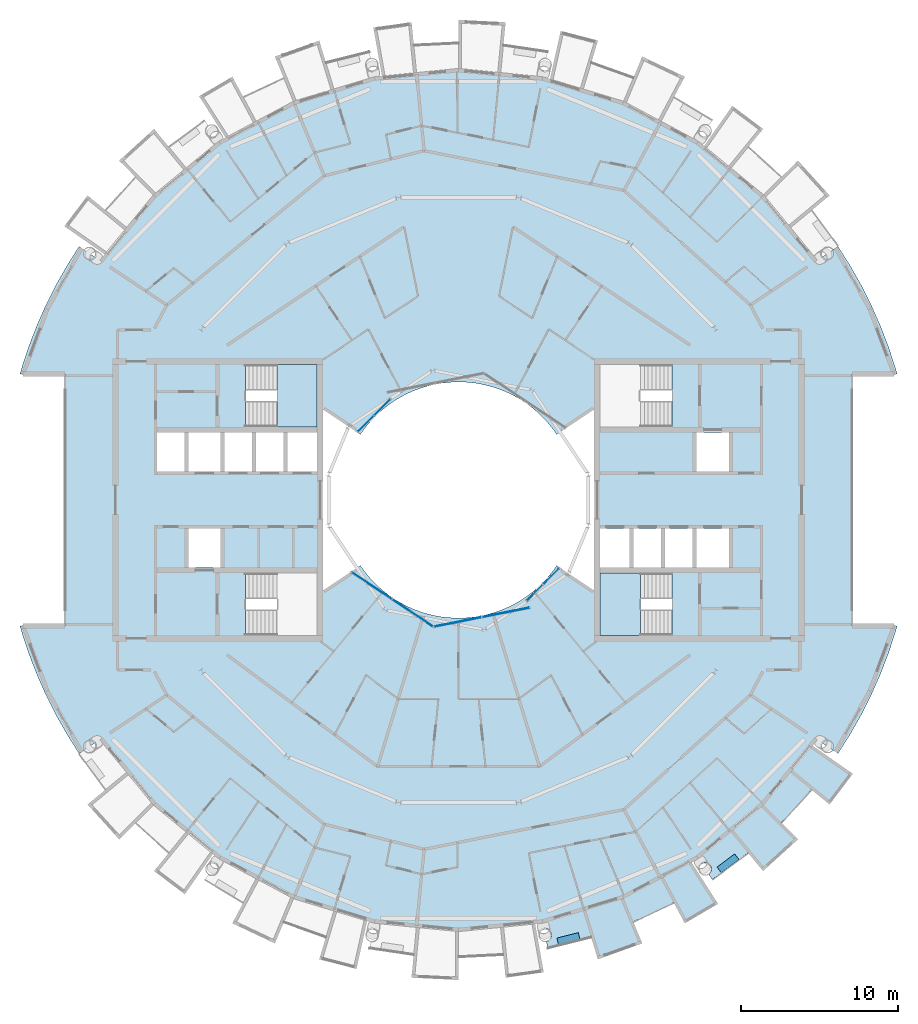
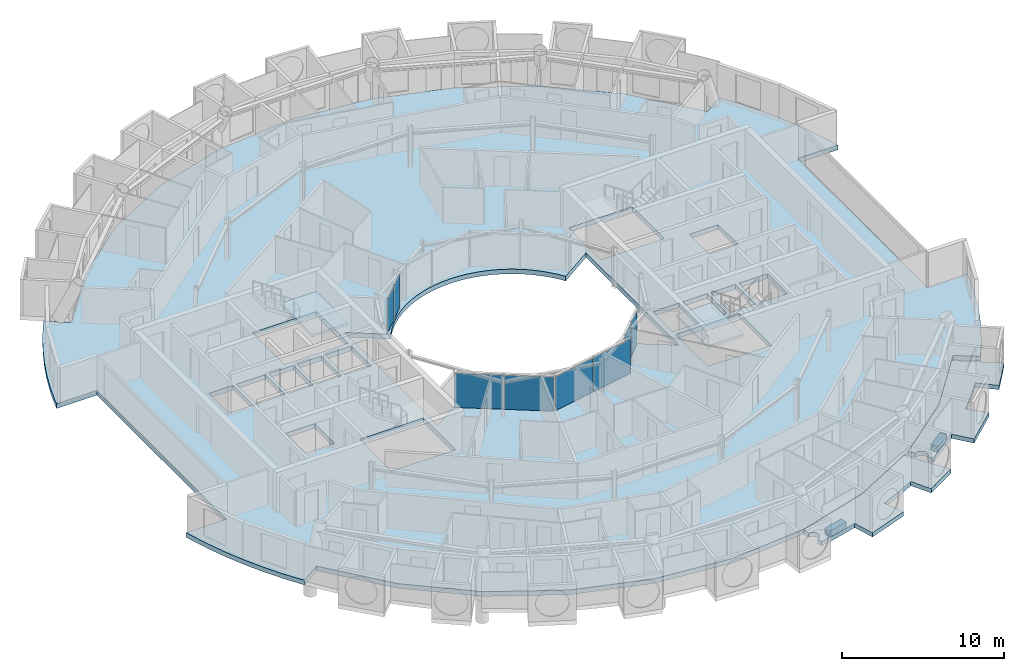
# One storey, part 12 of 28: 8 plates, 7 slabs, 6 elements without a shape of their own.
"""IFC4 building model written with IfcOpenShell, lengths in metres."""

import ifcopenshell
import ifcopenshell.guid

model = None  # the IFC model being written
_history = None  # IfcOwnerHistory: only IFC2X3 demands one
_inside = {}  # id of a spatial element -> (the spatial element, [elements in it])
_under = {}  # id of a project, library or spatial element -> (it, [spatial elements below it])
_declared = {}  # id of a project -> (the project, [libraries it declares])
_typed = {}  # id of a type object -> (the type object, [elements of that type])
_made_of = {}  # id of a material, layer set ... -> (it, [elements and type objects made of it])


def new_model(schema):
    """Start an empty IFC model of exactly this schema.

    Asked for "IFC4X3", IfcOpenShell would pick the latest addendum, in which some entities
    have other attributes; the version numbers below select the first issue.
    IFC2X3 requires an IfcOwnerHistory on every rooted entity: one is made here for all.
    """
    global model, _history
    if schema == "IFC4X3":
        model = ifcopenshell.file(schema_version=(4, 3, 0, 0))
    else:
        model = ifcopenshell.file(schema=schema)
    _inside.clear()
    _under.clear()
    _declared.clear()
    _typed.clear()
    _made_of.clear()
    _history = None
    if model.schema == "IFC2X3":
        org = make("IfcOrganization", Name="unknown")
        user = make(
            "IfcPersonAndOrganization",
            ThePerson=make("IfcPerson", FamilyName="unknown"),
            TheOrganization=org,
        )
        app = make(
            "IfcApplication",
            ApplicationDeveloper=org,
            Version="unknown",
            ApplicationFullName="unknown",
            ApplicationIdentifier="unknown",
        )
        _history = make(
            "IfcOwnerHistory",
            OwningUser=user,
            OwningApplication=app,
            ChangeAction="ADDED",
            CreationDate=0,
        )
    return model


def make(cls, **values):
    """One entity of the class cls with the attributes given. An attribute that is None is left unset."""
    return model.create_entity(
        cls, **{name: value for name, value in values.items() if value is not None}
    )


def rooted(cls, **values):
    """An entity with a GlobalId (a new one), such as an element, a storey or a relation."""
    return make(cls, GlobalId=ifcopenshell.guid.new(), OwnerHistory=_history, **values)


def si_unit(unit_type, name, prefix=None):
    """IfcSIUnit, for example si_unit("LENGTHUNIT", "METRE", prefix="MILLI")."""
    return make("IfcSIUnit", UnitType=unit_type, Prefix=prefix, Name=name)


def assignment(units):
    """IfcUnitAssignment: the units of a project."""
    return None if units is None else make("IfcUnitAssignment", Units=units)


def point(xyz):
    """IfcCartesianPoint."""
    return None if xyz is None else make("IfcCartesianPoint", Coordinates=xyz)


def direction(xyz):
    """IfcDirection."""
    return None if xyz is None else make("IfcDirection", DirectionRatios=xyz)


def frame(location, z_axis=None, x_axis=None):
    """IfcAxis2Placement3D, a coordinate frame: its origin and axes. An axis left out is left unset."""
    return make(
        "IfcAxis2Placement3D",
        Location=point(location),
        Axis=direction(z_axis),
        RefDirection=direction(x_axis),
    )


def frame_2d(location, x_axis=None):
    """IfcAxis2Placement2D, a coordinate frame in the plane: its origin and x axis."""
    return make(
        "IfcAxis2Placement2D", Location=point(location), RefDirection=direction(x_axis)
    )


def origin():
    """The frame at (0, 0, 0) with its axes left unset."""
    return frame((0.0, 0.0, 0.0))


def origin_2d():
    """The frame at (0, 0) in the plane with its x axis left unset."""
    return frame_2d((0.0, 0.0))


def place(relative_to, where):
    """IfcLocalPlacement: puts the frame where relative to a parent placement (None: the world)."""
    return make(
        "IfcLocalPlacement", PlacementRelTo=relative_to, RelativePlacement=where
    )


def context(
    kind, dimensions, precision=None, world=None, true_north=None, identifier=None
):
    """IfcGeometricRepresentationContext, for example the 3D "Model" context."""
    return make(
        "IfcGeometricRepresentationContext",
        ContextIdentifier=identifier,
        ContextType=kind,
        CoordinateSpaceDimension=dimensions,
        Precision=precision,
        WorldCoordinateSystem=world,
        TrueNorth=true_north,
    )


def subcontext(parent, identifier, kind, view, scale=None):
    """IfcGeometricRepresentationSubContext, for example "Body" below "Model"."""
    return make(
        "IfcGeometricRepresentationSubContext",
        ContextIdentifier=identifier,
        ContextType=kind,
        ParentContext=parent,
        TargetScale=scale,
        TargetView=view,
    )


def project(units=None, contexts=None):
    """IfcProject with its units and contexts."""
    return rooted(
        "IfcProject",
        Name="project",
        RepresentationContexts=contexts,
        UnitsInContext=assignment(units),
    )


def spatial(cls, under=None, at=None, **own):
    """A site, building, storey or space (cls), placed at a placement, below another one or the project."""
    s = rooted(cls, ObjectPlacement=at, **own)
    if under is not None:
        _under.setdefault(under.id(), (under, []))[1].append(s)
    return s


def polyline(points):
    """IfcPolyline through the points."""
    return make("IfcPolyline", Points=[point(p) for p in points])


def profile(cls, at=None, kind="AREA", **sizes):
    """A parametric profile (cls). Its sizes go by their IFC names, for example OverallWidth=200.0."""
    return make(cls, ProfileType=kind, Position=at, **sizes)


def rectangle(**sizes):
    """IfcRectangleProfileDef."""
    return profile("IfcRectangleProfileDef", **sizes)


def outline(outer, holes=None, kind="AREA"):
    """IfcArbitraryClosedProfileDef: a profile drawn as a closed curve; with holes, ...WithVoids."""
    if holes is None:
        return make("IfcArbitraryClosedProfileDef", ProfileType=kind, OuterCurve=outer)
    return make(
        "IfcArbitraryProfileDefWithVoids",
        ProfileType=kind,
        OuterCurve=outer,
        InnerCurves=holes,
    )


def extrude(swept, where, along, depth):
    """IfcExtrudedAreaSolid: the profile swept, set in the frame where, extruded along a direction by depth."""
    return make(
        "IfcExtrudedAreaSolid",
        SweptArea=swept,
        Position=where,
        ExtrudedDirection=direction(along),
        Depth=depth,
    )


def shape(context_of_items, identifier, shape_type, items):
    """IfcShapeRepresentation: the items that make up one representation, for example the "Body"."""
    return make(
        "IfcShapeRepresentation",
        ContextOfItems=context_of_items,
        RepresentationIdentifier=identifier,
        RepresentationType=shape_type,
        Items=items,
    )


def material(Name=None, Category=None):
    """IfcMaterial."""
    return make("IfcMaterial", Name=Name, Category=Category)


def layer(
    of_material, thickness, ventilated=None, Name=None, Category=None, Priority=None
):
    """IfcMaterialLayer: one layer of a wall or slab, of a material (None: an air gap)."""
    return make(
        "IfcMaterialLayer",
        Material=of_material,
        LayerThickness=thickness,
        IsVentilated=ventilated,
        Name=Name,
        Category=Category,
        Priority=Priority,
    )


def layer_set(layers, Name=None):
    """IfcMaterialLayerSet."""
    return make("IfcMaterialLayerSet", MaterialLayers=layers, LayerSetName=Name)


def made_of(thing, what):
    """Note that an element or type object is made of a material, layer set ...; save() writes the relation."""
    if what is not None:
        _made_of.setdefault(what.id(), (what, []))[1].append(thing)
    return thing


def type_object(cls, material=None, **own):
    """A type object (cls), such as IfcWallType, which elements share."""
    return made_of(rooted(cls, **own), material)


def element(
    cls,
    number,
    at=None,
    inside=None,
    cuts=None,
    type_object=None,
    material=None,
    context=None,
    identifier="Body",
    shape_type=None,
    held_by="IfcProductDefinitionShape",
    body=None,
    shapes=None,
    **own,
):
    """One element of the class cls, such as IfcWall. Its Tag is "e" and its number.

    at: its placement. inside: the storey or other place that contains it. cuts: it is an
    opening in that element (IfcRelVoidsElement). A single representation is given by context,
    identifier, shape_type and body (its items); several are given by shapes. held_by: the class
    of the entity that holds the representations. save() writes the other relations.
    """
    e = rooted(cls, Tag="e%d" % number, ObjectPlacement=at, **own)
    if body is not None:
        shapes = [shape(context, identifier, shape_type, body)]
    if shapes is not None:
        e.Representation = make(held_by, Representations=shapes)
    if inside is not None:
        _inside.setdefault(inside.id(), (inside, []))[1].append(e)
    if cuts is not None:
        rooted(
            "IfcRelVoidsElement", RelatingBuildingElement=cuts, RelatedOpeningElement=e
        )
    if type_object is not None:
        _typed.setdefault(type_object.id(), (type_object, []))[1].append(e)
    return made_of(e, material)


def aggregate(whole, parts):
    """IfcRelAggregates: a whole, such as a stair, and the parts it consists of."""
    return rooted("IfcRelAggregates", RelatingObject=whole, RelatedObjects=parts)


def save(model, path):
    """Write the relations noted so far, then the file.

    IfcRelAggregates (storeys below a building ...), IfcRelContainedInSpatialStructure (elements
    in a storey), IfcRelDefinesByType, IfcRelAssociatesMaterial and IfcRelDeclares: one each for
    every whole, place, type object, material and project.
    """
    for whole, parts in _under.values():
        aggregate(whole, parts)
    for where, things in _inside.values():
        rooted(
            "IfcRelContainedInSpatialStructure",
            RelatedElements=things,
            RelatingStructure=where,
        )
    for kind, things in _typed.values():
        rooted("IfcRelDefinesByType", RelatedObjects=things, RelatingType=kind)
    for what, things in _made_of.values():
        rooted("IfcRelAssociatesMaterial", RelatedObjects=things, RelatingMaterial=what)
    for by, libraries in _declared.values():
        rooted("IfcRelDeclares", RelatingContext=by, RelatedDefinitions=libraries)
    model.write(path)


model = new_model("IFC4")

# Units and contexts
model_context = context("Model", 3, precision=1e-05, world=origin(), true_north=direction((0.0, 1.0)))
body_context = subcontext(model_context, "Body", "Model", "MODEL_VIEW")
ifc_project = project(units=[si_unit("LENGTHUNIT", "METRE"), si_unit("AREAUNIT", "SQUARE_METRE"), si_unit("VOLUMEUNIT", "CUBIC_METRE"), si_unit("PLANEANGLEUNIT", "RADIAN"), si_unit("MASSUNIT", "GRAM", prefix="KILO")], contexts=[model_context])

# Site, building, storey
site_placement = place(None, origin())
site = spatial("IfcSite", under=ifc_project, at=site_placement, CompositionType="ELEMENT")
building_placement = place(site_placement, origin())
building = spatial("IfcBuilding", under=site, at=building_placement, Name="Maasbend Ring Residences", CompositionType="ELEMENT")
storey_placement = place(building_placement, frame((0.0, 0.0, 231.0)))
storey = spatial("IfcBuildingStorey", under=building, at=storey_placement, Name="L66", CompositionType="ELEMENT", Elevation=231.0)

# Stair, slab
ifc_material_1 = material(Name="Concrete C40/50", Category="concrete")
stair_type = type_object("IfcStairType", Name="CORE STAIR 18 RISERS", PredefinedType="HALF_TURN_STAIR", material=ifc_material_1)
stair_1_placement = place(storey_placement, origin())
stair_1 = element("IfcStair", 1, at=stair_1_placement, inside=storey, type_object=stair_type, Name="L66 Exit stair ST-E2", PredefinedType="HALF_TURN_STAIR")
ifc_material_2 = material(Name="Concrete C40/50", Category="concrete")
ifc_layer_1 = layer(ifc_material_2, 0.199951171875)
ifc_layer_set_1 = layer_set([ifc_layer_1], Name="Concrete C40/50")
slab_type_1 = type_object("IfcSlabType", Name="CORE STAIR LANDING 200", PredefinedType="LANDING", material=ifc_layer_set_1)
slab_1_placement = place(storey_placement, frame((0.0, 0.0, 1.324951171875)))
slab_1 = element("IfcSlab", 2, at=slab_1_placement, type_object=slab_type_1, Name="ST-E2 landing 1", PredefinedType="LANDING", context=body_context, shape_type="SweptSolid", body=[
    extrude(outline(polyline([(11.550048828125, -4.64990234375), (9.0, -4.64990234375), (9.0, -8.60009765625), (11.550048828125, -8.60009765625), (11.550048828125, -4.64990234375)])), origin(), (0.0, 0.0, 1.0), 0.199951171875),
])
aggregate(stair_1, [slab_1])

stair_2_placement = place(storey_placement, origin())
stair_2 = element("IfcStair", 3, at=stair_2_placement, inside=storey, type_object=stair_type, Name="L66 Exit stair ST-W2", PredefinedType="HALF_TURN_STAIR")
slab_2_placement = place(storey_placement, frame((0.0, 0.0, 1.324951171875)))
slab_2 = element("IfcSlab", 4, at=slab_2_placement, type_object=slab_type_1, Name="ST-W2 landing 1", PredefinedType="LANDING", context=body_context, shape_type="SweptSolid", body=[
    extrude(outline(polyline([(-11.550048828125, 4.64990234375), (-9.0, 4.64990234375), (-9.0, 8.60009765625), (-11.550048828125, 8.60009765625), (-11.550048828125, 4.64990234375)])), origin(), (0.0, 0.0, 1.0), 0.199951171875),
])
aggregate(stair_2, [slab_2])

# Curtain wall, plates
ifc_material_3 = material(Name="Aluminium and clear glass", Category="aluminium")
ifc_layer_2 = layer(ifc_material_3, 0.179931640625)
ifc_layer_set_2 = layer_set([ifc_layer_2], Name="CW-W")
curtain_wall_type = type_object("IfcCurtainWallType", Name="CW-W", PredefinedType="NOTDEFINED", material=ifc_layer_set_2)
curtain_wall_1_placement = place(storey_placement, origin())
curtain_wall_1 = element("IfcCurtainWall", 5, at=curtain_wall_1_placement, inside=storey, type_object=curtain_wall_type, Name="Well curtain wall N3", PredefinedType="NOTDEFINED")
ifc_material_4 = material(Name="Glass clear laminated", Category="glass")
ifc_layer_3 = layer(ifc_material_4, 0.031982421875)
ifc_layer_set_3 = layer_set([ifc_layer_3], Name="CWP-W")
plate_type = type_object("IfcPlateType", Name="CWP-W", PredefinedType="CURTAIN_PANEL", material=ifc_layer_set_3)
plate_1_placement = place(storey_placement, frame((-4.84375, 5.89013671875, 0.0), z_axis=(0.0, 0.0, 1.0), x_axis=(-0.707106781187, -0.707106781187, 0.0)))
plate_1 = element("IfcPlate", 6, at=plate_1_placement, type_object=plate_type, Name="Glass panel well face", PredefinedType="CURTAIN_PANEL", context=body_context, shape_type="SweptSolid", body=[
    extrude(rectangle(XDim=1.419677734375, YDim=0.031982421875, at=origin_2d()), origin(), (0.0, 0.0, 1.0), 2.580078125),
])
plate_2_placement = place(storey_placement, frame((-5.89013671875, 4.84375, 0.0), z_axis=(0.0, 0.0, 1.0), x_axis=(-0.707106781187, -0.707106781187, 0.0)))
plate_2 = element("IfcPlate", 7, at=plate_2_placement, type_object=plate_type, Name="Glass panel well face", PredefinedType="CURTAIN_PANEL", context=body_context, shape_type="SweptSolid", body=[
    extrude(rectangle(XDim=1.419677734375, YDim=0.031982421875, at=origin_2d()), origin(), (0.0, 0.0, 1.0), 2.580078125),
])
aggregate(curtain_wall_1, [plate_1, plate_2])

curtain_wall_2_placement = place(storey_placement, origin())
curtain_wall_2 = element("IfcCurtainWall", 8, at=curtain_wall_2_placement, inside=storey, type_object=curtain_wall_type, Name="Well curtain wall S1", PredefinedType="NOTDEFINED")
plate_3_placement = place(storey_placement, frame((-5.51123046875, -5.44580078125, 0.0), z_axis=(0.0, 0.0, 1.0), x_axis=(0.831469612303, -0.55557023302, 0.0)))
plate_3 = element("IfcPlate", 9, at=plate_3_placement, type_object=plate_type, Name="Glass panel well face", PredefinedType="CURTAIN_PANEL", context=body_context, shape_type="SweptSolid", body=[
    extrude(rectangle(XDim=3.053955078125, YDim=0.031982421875, at=origin_2d()), origin(), (0.0, 0.0, 1.0), 2.580078125),
])
plate_4_placement = place(storey_placement, frame((-2.922119140625, -7.17578125, 0.0), z_axis=(0.0, 0.0, 1.0), x_axis=(0.831469612303, -0.55557023302, 0.0)))
plate_4 = element("IfcPlate", 10, at=plate_4_placement, type_object=plate_type, Name="Glass panel well face", PredefinedType="CURTAIN_PANEL", context=body_context, shape_type="SweptSolid", body=[
    extrude(rectangle(XDim=3.053955078125, YDim=0.031982421875, at=origin_2d()), origin(), (0.0, 0.0, 1.0), 2.580078125),
])
aggregate(curtain_wall_2, [plate_3, plate_4])

curtain_wall_3_placement = place(storey_placement, origin())
curtain_wall_3 = element("IfcCurtainWall", 11, at=curtain_wall_3_placement, inside=storey, type_object=curtain_wall_type, Name="Well curtain wall S2", PredefinedType="NOTDEFINED")
plate_5_placement = place(storey_placement, frame((-0.04638671875, -7.747802734375, 0.0), z_axis=(0.0, 0.0, 1.0), x_axis=(0.980785280403, 0.195090322016, 0.0)))
plate_5 = element("IfcPlate", 12, at=plate_5_placement, type_object=plate_type, Name="Glass panel well face", PredefinedType="CURTAIN_PANEL", context=body_context, shape_type="SweptSolid", body=[
    extrude(rectangle(XDim=3.053955078125, YDim=0.031982421875, at=origin_2d()), origin(), (0.0, 0.0, 1.0), 2.580078125),
])
plate_6_placement = place(storey_placement, frame((3.0078125, -7.140380859375, 0.0), z_axis=(0.0, 0.0, 1.0), x_axis=(0.980785280403, 0.195090322016, 0.0)))
plate_6 = element("IfcPlate", 13, at=plate_6_placement, type_object=plate_type, Name="Glass panel well face", PredefinedType="CURTAIN_PANEL", context=body_context, shape_type="SweptSolid", body=[
    extrude(rectangle(XDim=3.053955078125, YDim=0.031982421875, at=origin_2d()), origin(), (0.0, 0.0, 1.0), 2.580078125),
])
aggregate(curtain_wall_3, [plate_5, plate_6])

curtain_wall_4_placement = place(storey_placement, origin())
curtain_wall_4 = element("IfcCurtainWall", 14, at=curtain_wall_4_placement, inside=storey, type_object=curtain_wall_type, Name="Well curtain wall S3", PredefinedType="NOTDEFINED")
plate_7_placement = place(storey_placement, frame((4.84375, -5.89013671875, 0.0), z_axis=(0.0, 0.0, 1.0), x_axis=(0.707106781187, 0.707106781187, 0.0)))
plate_7 = element("IfcPlate", 15, at=plate_7_placement, type_object=plate_type, Name="Glass panel well face", PredefinedType="CURTAIN_PANEL", context=body_context, shape_type="SweptSolid", body=[
    extrude(rectangle(XDim=1.419677734375, YDim=0.031982421875, at=origin_2d()), origin(), (0.0, 0.0, 1.0), 2.580078125),
])
plate_8_placement = place(storey_placement, frame((5.89013671875, -4.84375, 0.0), z_axis=(0.0, 0.0, 1.0), x_axis=(0.707106781187, 0.707106781187, 0.0)))
plate_8 = element("IfcPlate", 16, at=plate_8_placement, type_object=plate_type, Name="Glass panel well face", PredefinedType="CURTAIN_PANEL", context=body_context, shape_type="SweptSolid", body=[
    extrude(rectangle(XDim=1.419677734375, YDim=0.031982421875, at=origin_2d()), origin(), (0.0, 0.0, 1.0), 2.580078125),
])
aggregate(curtain_wall_4, [plate_7, plate_8])

# Slabs
ifc_material_5 = material(Name="Planting with climbing greenery")
ifc_layer_4 = layer(ifc_material_5, 0.449951171875)
ifc_layer_set_4 = layer_set([ifc_layer_4], Name="PLANTER-LG")
slab_type_2 = type_object("IfcSlabType", Name="PLANTER-LG", PredefinedType="USERDEFINED", material=ifc_layer_set_4)
slab_3_placement = place(storey_placement, frame((0.0, 0.0, -0.030029296875)))
element("IfcSlab", 17, at=slab_3_placement, inside=storey, type_object=slab_type_2, Name="Planter with climbing greenery 4", ObjectType="PLANTER", PredefinedType="USERDEFINED", context=body_context, shape_type="SweptSolid", body=[
    extrude(outline(polyline([(6.35888671875, -28.26708984375), (7.717041015625, -27.927001953125), (7.60791015625, -27.489990234375), (6.25, -27.8310546875), (6.35888671875, -28.26708984375)])), origin(), (0.0, 0.0, 1.0), 0.449951171875),
])
slab_4_placement = place(storey_placement, frame((0.0, 0.0, -0.030029296875)))
element("IfcSlab", 18, at=slab_4_placement, inside=storey, type_object=slab_type_2, Name="Planter with climbing greenery 5", ObjectType="PLANTER", PredefinedType="USERDEFINED", context=body_context, shape_type="SweptSolid", body=[
    extrude(outline(polyline([(16.69189453125, -23.681884765625), (17.81689453125, -22.847900390625), (17.549072265625, -22.487060546875), (16.424072265625, -23.321044921875), (16.69189453125, -23.681884765625)])), origin(), (0.0, 0.0, 1.0), 0.449951171875),
])
ifc_material_6 = material(Name="Concrete C40/50", Category="concrete")
ifc_layer_5 = layer(ifc_material_6, 0.35009765625)
ifc_layer_set_5 = layer_set([ifc_layer_5], Name="Concrete C40/50")
slab_type_3 = type_object("IfcSlabType", Name="Post-tensioned flat plate 350", PredefinedType="FLOOR", material=ifc_layer_set_5)
slab_5_placement = place(storey_placement, frame((0.0, 0.0, -0.35009765625)))
element("IfcSlab", 19, at=slab_5_placement, inside=storey, type_object=slab_type_3, Name="Floor slab L66", PredefinedType="FLOOR", context=body_context, shape_type="SweptSolid", body=[
    extrude(outline(polyline([(24.8740234375, -14.908935546875), (25.57568359375, -13.67041015625), (26.2158203125, -12.399169921875), (26.79248046875, -11.097900390625), (27.3046875, -9.769775390625), (27.751220703125, -8.418212890625), (27.866943359375, -8.0), (25.0, -8.0), (25.0, 8.0), (27.866943359375, 8.0), (27.751220703125, 8.418212890625), (27.3046875, 9.769775390625), (26.79248046875, 11.097900390625), (26.2158203125, 12.399169921875), (25.57568359375, 13.67041015625), (24.8740234375, 14.908935546875), (24.112548828125, 16.111572265625), (22.69921875, 15.1669921875), (19.303955078125, 19.303955078125), (15.1669921875, 22.69921875), (10.447265625, 25.221923828125), (5.325927734375, 26.775390625), (0.0, 27.300048828125), (-5.325927734375, 26.775390625), (-10.447265625, 25.221923828125), (-15.1669921875, 22.69921875), (-19.303955078125, 19.303955078125), (-22.69921875, 15.1669921875), (-24.112548828125, 16.111572265625), (-24.8740234375, 14.908935546875), (-25.57568359375, 13.67041015625), (-26.2158203125, 12.399169921875), (-26.79248046875, 11.097900390625), (-27.3046875, 9.769775390625), (-27.751220703125, 8.418212890625), (-27.866943359375, 8.0), (-25.0, 8.0), (-25.0, -8.0), (-27.866943359375, -8.0), (-27.751220703125, -8.418212890625), (-27.3046875, -9.769775390625), (-26.79248046875, -11.097900390625), (-26.2158203125, -12.399169921875), (-25.57568359375, -13.67041015625), (-24.8740234375, -14.908935546875), (-24.112548828125, -16.111572265625), (-22.69921875, -15.1669921875), (-19.303955078125, -19.303955078125), (-15.1669921875, -22.69921875), (-10.447265625, -25.221923828125), (-5.325927734375, -26.775390625), (0.0, -27.300048828125), (5.325927734375, -26.775390625), (10.447265625, -25.221923828125), (15.1669921875, -22.69921875), (19.303955078125, -19.303955078125), (22.69921875, -15.1669921875), (24.112548828125, -16.111572265625), (24.8740234375, -14.908935546875)]), holes=[polyline([(15.125, 1.824951171875), (15.125, 4.27490234375), (17.175048828125, 4.27490234375), (17.175048828125, 1.824951171875), (15.125, 1.824951171875)]), polyline([(15.125, -4.27490234375), (15.125, -1.824951171875), (17.175048828125, -1.824951171875), (17.175048828125, -4.27490234375), (15.125, -4.27490234375)]), polyline([(13.125, -4.27490234375), (13.125, -1.824951171875), (14.875, -1.824951171875), (14.875, -4.27490234375), (13.125, -4.27490234375)]), polyline([(13.550048828125, 8.60009765625), (13.550048828125, 4.64990234375), (9.0, 4.64990234375), (9.0, 8.60009765625), (13.550048828125, 8.60009765625)]), polyline([(13.550048828125, -4.64990234375), (13.550048828125, -8.60009765625), (9.0, -8.60009765625), (9.0, -4.64990234375), (13.550048828125, -4.64990234375)]), polyline([(11.125, -4.27490234375), (11.125, -1.824951171875), (12.875, -1.824951171875), (12.875, -4.27490234375), (11.125, -4.27490234375)]), polyline([(9.0, -4.27490234375), (9.0, -1.824951171875), (10.875, -1.824951171875), (10.875, -4.27490234375), (9.0, -4.27490234375)]), polyline([(6.024169921875, 4.4677734375), (6.236083984375, 4.166748046875), (8.60009765625, 5.746337890625), (8.60009765625, -5.746337890625), (6.236083984375, -4.166748046875), (6.024169921875, -4.4677734375), (5.797607421875, -4.7578125), (5.55712890625, -5.03662109375), (5.30322265625, -5.30322265625), (5.03662109375, -5.55712890625), (4.7578125, -5.797607421875), (4.4677734375, -6.024169921875), (4.166748046875, -6.236083984375), (3.855712890625, -6.43310546875), (3.535400390625, -6.614501953125), (3.206787109375, -6.77978515625), (2.8701171875, -6.92919921875), (2.526611328125, -7.0615234375), (2.177001953125, -7.177001953125), (1.822509765625, -7.275146484375), (1.463134765625, -7.35595703125), (1.1005859375, -7.418701171875), (0.735107421875, -7.4638671875), (0.367919921875, -7.490966796875), (0.0, -7.5), (-0.367919921875, -7.490966796875), (-0.735107421875, -7.4638671875), (-1.1005859375, -7.418701171875), (-1.463134765625, -7.35595703125), (-1.822509765625, -7.275146484375), (-2.177001953125, -7.177001953125), (-2.526611328125, -7.0615234375), (-2.8701171875, -6.92919921875), (-3.206787109375, -6.77978515625), (-3.535400390625, -6.614501953125), (-3.855712890625, -6.43310546875), (-4.166748046875, -6.236083984375), (-4.4677734375, -6.024169921875), (-4.7578125, -5.797607421875), (-5.03662109375, -5.55712890625), (-5.30322265625, -5.30322265625), (-5.55712890625, -5.03662109375), (-5.797607421875, -4.7578125), (-6.024169921875, -4.4677734375), (-6.236083984375, -4.166748046875), (-8.60009765625, -5.746337890625), (-8.60009765625, 5.746337890625), (-6.236083984375, 4.166748046875), (-6.024169921875, 4.4677734375), (-5.797607421875, 4.7578125), (-5.55712890625, 5.03662109375), (-5.30322265625, 5.30322265625), (-5.03662109375, 5.55712890625), (-4.7578125, 5.797607421875), (-4.4677734375, 6.024169921875), (-4.166748046875, 6.236083984375), (-3.855712890625, 6.43310546875), (-3.535400390625, 6.614501953125), (-3.206787109375, 6.77978515625), (-2.8701171875, 6.92919921875), (-2.526611328125, 7.0615234375), (-2.177001953125, 7.177001953125), (-1.822509765625, 7.275146484375), (-1.463134765625, 7.35595703125), (-1.1005859375, 7.418701171875), (-0.735107421875, 7.4638671875), (-0.367919921875, 7.490966796875), (0.0, 7.5), (0.367919921875, 7.490966796875), (0.735107421875, 7.4638671875), (1.1005859375, 7.418701171875), (1.463134765625, 7.35595703125), (1.822509765625, 7.275146484375), (2.177001953125, 7.177001953125), (2.526611328125, 7.0615234375), (2.8701171875, 6.92919921875), (3.206787109375, 6.77978515625), (3.535400390625, 6.614501953125), (3.855712890625, 6.43310546875), (4.166748046875, 6.236083984375), (4.4677734375, 6.024169921875), (4.7578125, 5.797607421875), (5.03662109375, 5.55712890625), (5.30322265625, 5.30322265625), (5.55712890625, 5.03662109375), (5.797607421875, 4.7578125), (6.024169921875, 4.4677734375)]), polyline([(-13.550048828125, 4.64990234375), (-13.550048828125, 8.60009765625), (-9.0, 8.60009765625), (-9.0, 4.64990234375), (-13.550048828125, 4.64990234375)]), polyline([(-9.0, -8.60009765625), (-13.550048828125, -8.60009765625), (-13.550048828125, -4.64990234375), (-9.0, -4.64990234375), (-9.0, -8.60009765625)]), polyline([(-9.0, 4.27490234375), (-9.0, 1.824951171875), (-10.875, 1.824951171875), (-10.875, 4.27490234375), (-9.0, 4.27490234375)]), polyline([(-11.125, 4.27490234375), (-11.125, 1.824951171875), (-12.875, 1.824951171875), (-12.875, 4.27490234375), (-11.125, 4.27490234375)]), polyline([(-13.125, 4.27490234375), (-13.125, 1.824951171875), (-14.875, 1.824951171875), (-14.875, 4.27490234375), (-13.125, 4.27490234375)]), polyline([(-15.125, 4.27490234375), (-15.125, 1.824951171875), (-17.175048828125, 1.824951171875), (-17.175048828125, 4.27490234375), (-15.125, 4.27490234375)]), polyline([(-15.125, -1.824951171875), (-15.125, -4.27490234375), (-17.175048828125, -4.27490234375), (-17.175048828125, -1.824951171875), (-15.125, -1.824951171875)]), polyline([(-17.425048828125, 4.27490234375), (-17.425048828125, 1.824951171875), (-19.14990234375, 1.824951171875), (-19.14990234375, 4.27490234375), (-17.425048828125, 4.27490234375)])]), origin(), (0.0, 0.0, 1.0), 0.35009765625),
])
ifc_material_7 = material(Name="Concrete C40/50", Category="concrete")
ifc_layer_6 = layer(ifc_material_7, 0.199951171875)
ifc_layer_set_6 = layer_set([ifc_layer_6], Name="Concrete C40/50")
slab_type_4 = type_object("IfcSlabType", Name="SL-LOGGIA", PredefinedType="FLOOR", material=ifc_layer_set_6)
slab_6_placement = place(storey_placement, frame((0.0, 0.0, -0.35009765625)))
element("IfcSlab", 20, at=slab_6_placement, inside=storey, type_object=slab_type_4, Name="Loggia floor 2", PredefinedType="FLOOR", context=body_context, shape_type="SweptSolid", body=[
    extrude(outline(polyline([(10.447021484375, -25.221923828125), (12.806884765625, -23.9609375), (14.73291015625, -22.930908203125), (14.73291015625, -22.930908203125), (14.73291015625, -22.930908203125), (16.487060546875, -25.659912109375), (16.487060546875, -25.659912109375), (16.487060546875, -25.659912109375), (14.3779296875, -26.89892578125), (14.3779296875, -26.89892578125), (14.3779296875, -26.89892578125), (13.6708984375, -25.575927734375), (13.6708984375, -25.575927734375), (13.6708984375, -25.575927734375), (13.6708984375, -25.575927734375), (13.6708984375, -25.575927734375), (13.6708984375, -25.575927734375), (13.6708984375, -25.575927734375), (13.669921875, -25.575927734375), (13.669921875, -25.575927734375), (13.669921875, -25.575927734375), (13.669921875, -25.575927734375), (13.669921875, -25.575927734375), (13.669921875, -25.575927734375), (13.669921875, -25.575927734375), (13.669921875, -25.575927734375), (13.669921875, -25.575927734375), (13.669921875, -25.575927734375), (12.825927734375, -26.009033203125), (12.825927734375, -26.009033203125), (11.968994140625, -26.4150390625), (11.968994140625, -26.4150390625), (11.097900390625, -26.7919921875), (11.097900390625, -26.7919921875), (11.097900390625, -26.7919921875), (11.097900390625, -26.7919921875), (11.097900390625, -26.7919921875), (11.097900390625, -26.7919921875), (11.097900390625, -26.7919921875), (11.097900390625, -26.79296875), (11.097900390625, -26.79296875), (11.097900390625, -26.79296875), (11.097900390625, -26.79296875), (11.097900390625, -26.79296875), (11.097900390625, -26.79296875), (11.097900390625, -26.79296875), (11.097900390625, -26.79296875), (11.097900390625, -26.79296875), (11.097900390625, -26.79296875), (11.672119140625, -28.177978515625), (11.672119140625, -28.177978515625), (11.672119140625, -28.177978515625), (8.85400390625, -29.18701171875), (8.85400390625, -29.18701171875), (8.85400390625, -29.18701171875), (8.41796875, -27.751953125), (8.41796875, -27.751953125), (8.41796875, -27.751953125), (8.41796875, -27.751953125), (8.41796875, -27.751953125), (8.41796875, -27.751953125), (8.41796875, -27.751953125), (8.41796875, -27.7509765625), (8.41796875, -27.7509765625), (8.41796875, -27.7509765625), (8.41796875, -27.7509765625), (8.41796875, -27.7509765625), (8.41796875, -27.7509765625), (8.41796875, -27.7509765625), (8.41796875, -27.7509765625), (8.41796875, -27.7509765625), (8.41796875, -27.7509765625), (7.506103515625, -28.011962890625), (7.506103515625, -28.011962890625), (6.5849609375, -28.241943359375), (6.5849609375, -28.241943359375), (5.657958984375, -28.443115234375), (5.657958984375, -28.443115234375), (5.657958984375, -28.443115234375), (5.5810546875, -28.056884765625), (5.591064453125, -28.054931640625), (5.60009765625, -28.052001953125), (5.610107421875, -28.050048828125), (5.6201171875, -28.047119140625), (5.62890625, -28.0439453125), (5.637939453125, -28.041015625), (5.64794921875, -28.037109375), (5.656982421875, -28.033935546875), (5.666015625, -28.030029296875), (5.675048828125, -28.02587890625), (5.68408203125, -28.02099609375), (5.693115234375, -28.01708984375), (5.701904296875, -28.011962890625), (5.7099609375, -28.007080078125), (5.718994140625, -28.001953125), (5.72705078125, -27.99609375), (5.736083984375, -27.989990234375), (5.743896484375, -27.985107421875), (5.751953125, -27.97900390625), (5.759033203125, -27.971923828125), (5.76708984375, -27.966064453125), (5.77392578125, -27.958984375), (5.781982421875, -27.952880859375), (5.7890625, -27.946044921875), (5.7958984375, -27.93798828125), (5.802978515625, -27.930908203125), (5.80908203125, -27.924072265625), (5.81591796875, -27.916015625), (5.822021484375, -27.907958984375), (5.827880859375, -27.89990234375), (5.833984375, -27.89208984375), (5.839111328125, -27.884033203125), (5.844970703125, -27.8759765625), (5.85009765625, -27.866943359375), (5.85498046875, -27.85791015625), (5.860107421875, -27.85009765625), (5.864990234375, -27.841064453125), (5.868896484375, -27.83203125), (5.873046875, -27.822998046875), (5.876953125, -27.81396484375), (5.881103515625, -27.803955078125), (5.884033203125, -27.794921875), (5.886962890625, -27.785888671875), (5.889892578125, -27.77587890625), (5.89306640625, -27.76708984375), (5.89599609375, -27.757080078125), (5.89794921875, -27.7470703125), (5.89990234375, -27.737060546875), (5.902099609375, -27.72802734375), (5.904052734375, -27.718017578125), (5.905029296875, -27.7080078125), (5.906005859375, -27.697998046875), (5.906982421875, -27.68798828125), (5.907958984375, -27.677978515625), (5.907958984375, -27.66796875), (5.907958984375, -27.657958984375), (5.907958984375, -27.64794921875), (5.907958984375, -27.637939453125), (5.906982421875, -27.6279296875), (5.906005859375, -27.617919921875), (5.905029296875, -27.60791015625), (5.904052734375, -27.597900390625), (5.902099609375, -27.589111328125), (5.89990234375, -27.5791015625), (5.89794921875, -27.569091796875), (5.89599609375, -27.55908203125), (5.89306640625, -27.550048828125), (5.889892578125, -27.5400390625), (5.886962890625, -27.531005859375), (5.884033203125, -27.52099609375), (5.881103515625, -27.511962890625), (5.876953125, -27.5029296875), (5.873046875, -27.492919921875), (5.868896484375, -27.48388671875), (5.864990234375, -27.47509765625), (5.860107421875, -27.466064453125), (5.85498046875, -27.4580078125), (5.85009765625, -27.448974609375), (5.844970703125, -27.44091796875), (5.839111328125, -27.431884765625), (5.833984375, -27.424072265625), (5.827880859375, -27.416015625), (5.822021484375, -27.407958984375), (5.81591796875, -27.39990234375), (5.80908203125, -27.39306640625), (5.802978515625, -27.385009765625), (5.7958984375, -27.3779296875), (5.7890625, -27.37109375), (5.781982421875, -27.364013671875), (5.77392578125, -27.35693359375), (5.76708984375, -27.35009765625), (5.759033203125, -27.343994140625), (5.751953125, -27.337890625), (5.743896484375, -27.33203125), (5.736083984375, -27.325927734375), (5.72705078125, -27.320068359375), (5.718994140625, -27.31494140625), (5.7099609375, -27.30908203125), (5.701904296875, -27.303955078125), (5.693115234375, -27.300048828125), (5.68408203125, -27.294921875), (5.675048828125, -27.291015625), (5.666015625, -27.285888671875), (5.656982421875, -27.282958984375), (5.64794921875, -27.279052734375), (5.637939453125, -27.27490234375), (5.62890625, -27.27197265625), (5.6201171875, -27.26904296875), (5.610107421875, -27.26611328125), (5.60009765625, -27.263916015625), (5.591064453125, -27.260986328125), (5.5810546875, -27.259033203125), (5.571044921875, -27.258056640625), (5.56103515625, -27.256103515625), (5.551025390625, -27.2548828125), (5.541015625, -27.25390625), (5.531005859375, -27.2529296875), (5.52099609375, -27.251953125), (5.510986328125, -27.251953125), (5.501953125, -27.251953125), (5.491943359375, -27.251953125), (5.48193359375, -27.251953125), (5.471923828125, -27.2529296875), (5.4619140625, -27.25390625), (5.451904296875, -27.2548828125), (5.44189453125, -27.256103515625), (5.431884765625, -27.258056640625), (5.422119140625, -27.259033203125), (5.325927734375, -26.77490234375), (5.325927734375, -26.77490234375), (5.325927734375, -26.77490234375), (7.886962890625, -25.9990234375), (10.447021484375, -25.221923828125), (10.447021484375, -25.221923828125), (10.447021484375, -25.221923828125)])), origin(), (0.0, 0.0, 1.0), 0.320068359375),
])
slab_7_placement = place(storey_placement, frame((0.0, 0.0, -0.35009765625)))
element("IfcSlab", 21, at=slab_7_placement, inside=storey, type_object=slab_type_4, Name="Loggia floor 5", PredefinedType="FLOOR", context=body_context, shape_type="SweptSolid", body=[
    extrude(outline(polyline([(19.303955078125, -19.303955078125), (21.001953125, -17.236083984375), (22.386962890625, -15.547119140625), (22.386962890625, -15.547119140625), (22.386962890625, -15.547119140625), (25.051025390625, -17.39794921875), (25.051025390625, -17.39794921875), (25.051025390625, -17.39794921875), (23.576904296875, -19.34912109375), (23.576904296875, -19.34912109375), (23.576904296875, -19.34912109375), (22.41796875, -18.39794921875), (22.41796875, -18.39794921875), (22.41796875, -18.39794921875), (22.41796875, -18.39794921875), (22.41796875, -18.39794921875), (22.4169921875, -18.39794921875), (22.4169921875, -18.39794921875), (22.4169921875, -18.39794921875), (22.4169921875, -18.39794921875), (22.4169921875, -18.39794921875), (22.4169921875, -18.39794921875), (22.4169921875, -18.39794921875), (22.4169921875, -18.39794921875), (22.4169921875, -18.39794921875), (22.4169921875, -18.39794921875), (22.4169921875, -18.39794921875), (22.4169921875, -18.39794921875), (21.802978515625, -19.12109375), (21.802978515625, -19.12109375), (21.166015625, -19.823974609375), (21.166015625, -19.823974609375), (20.506103515625, -20.506103515625), (20.506103515625, -20.506103515625), (20.506103515625, -20.506103515625), (20.506103515625, -20.506103515625), (20.506103515625, -20.506103515625), (20.506103515625, -20.506103515625), (20.506103515625, -20.506103515625), (20.506103515625, -20.506103515625), (20.506103515625, -20.506103515625), (20.506103515625, -20.506103515625), (20.506103515625, -20.506103515625), (20.506103515625, -20.506103515625), (20.506103515625, -20.506103515625), (20.506103515625, -20.506103515625), (20.506103515625, -20.506103515625), (20.506103515625, -20.506103515625), (20.506103515625, -20.506103515625), (21.56689453125, -21.56689453125), (21.56689453125, -21.56689453125), (21.56689453125, -21.56689453125), (19.34912109375, -23.576904296875), (19.34912109375, -23.576904296875), (19.34912109375, -23.576904296875), (18.39794921875, -22.41796875), (18.39794921875, -22.41796875), (18.39794921875, -22.41796875), (18.39794921875, -22.41796875), (18.39794921875, -22.41796875), (18.39794921875, -22.41796875), (18.39697265625, -22.41796875), (18.39697265625, -22.41796875), (18.39697265625, -22.41796875), (18.39697265625, -22.41796875), (18.39697265625, -22.41796875), (18.39697265625, -22.41796875), (18.39697265625, -22.41796875), (18.39697265625, -22.41796875), (18.39697265625, -22.41796875), (18.39697265625, -22.41796875), (18.39697265625, -22.41796875), (17.654052734375, -23.007080078125), (17.654052734375, -23.007080078125), (16.89208984375, -23.572998046875), (16.89208984375, -23.572998046875), (16.112060546875, -24.113037109375), (16.112060546875, -24.113037109375), (16.112060546875, -24.113037109375), (15.89306640625, -23.784912109375), (15.89306640625, -23.784912109375), (15.90087890625, -23.780029296875), (15.908935546875, -23.77392578125), (15.9169921875, -23.76806640625), (15.925048828125, -23.761962890625), (15.93310546875, -23.7548828125), (15.93994140625, -23.7490234375), (15.947021484375, -23.741943359375), (15.955078125, -23.735107421875), (15.9619140625, -23.72802734375), (15.968017578125, -23.719970703125), (15.97509765625, -23.712890625), (15.98095703125, -23.705078125), (15.988037109375, -23.697021484375), (15.993896484375, -23.68994140625), (15.9990234375, -23.680908203125), (16.0048828125, -23.673095703125), (16.010986328125, -23.6650390625), (16.01611328125, -23.656005859375), (16.02099609375, -23.64794921875), (16.02587890625, -23.638916015625), (16.030029296875, -23.6298828125), (16.034912109375, -23.62109375), (16.0390625, -23.612060546875), (16.04296875, -23.60302734375), (16.0458984375, -23.593994140625), (16.050048828125, -23.583984375), (16.052978515625, -23.574951171875), (16.055908203125, -23.56494140625), (16.05908203125, -23.555908203125), (16.06103515625, -23.5458984375), (16.06396484375, -23.535888671875), (16.06591796875, -23.527099609375), (16.068115234375, -23.51708984375), (16.069091796875, -23.507080078125), (16.071044921875, -23.4970703125), (16.072021484375, -23.487060546875), (16.072021484375, -23.47705078125), (16.072998046875, -23.467041015625), (16.072998046875, -23.45703125), (16.073974609375, -23.447021484375), (16.072998046875, -23.43701171875), (16.072998046875, -23.427001953125), (16.072021484375, -23.4169921875), (16.072021484375, -23.407958984375), (16.071044921875, -23.39794921875), (16.069091796875, -23.387939453125), (16.068115234375, -23.3779296875), (16.06591796875, -23.367919921875), (16.06396484375, -23.35791015625), (16.06103515625, -23.34912109375), (16.05908203125, -23.339111328125), (16.055908203125, -23.3291015625), (16.052978515625, -23.320068359375), (16.050048828125, -23.31005859375), (16.0458984375, -23.301025390625), (16.04296875, -23.2919921875), (16.0390625, -23.282958984375), (16.034912109375, -23.27392578125), (16.030029296875, -23.264892578125), (16.02587890625, -23.256103515625), (16.02099609375, -23.2470703125), (16.01611328125, -23.238037109375), (16.010986328125, -23.22998046875), (16.0048828125, -23.221923828125), (15.9990234375, -23.212890625), (15.993896484375, -23.205078125), (15.988037109375, -23.197021484375), (15.98095703125, -23.18994140625), (15.97509765625, -23.181884765625), (15.968017578125, -23.174072265625), (15.9619140625, -23.1669921875), (15.955078125, -23.159912109375), (15.947021484375, -23.153076171875), (15.93994140625, -23.14599609375), (15.93310546875, -23.139892578125), (15.925048828125, -23.133056640625), (15.9169921875, -23.126953125), (15.908935546875, -23.12109375), (15.90087890625, -23.114990234375), (15.89306640625, -23.10888671875), (15.885009765625, -23.10400390625), (15.8759765625, -23.09912109375), (15.866943359375, -23.093994140625), (15.85888671875, -23.089111328125), (15.85009765625, -23.083984375), (15.841064453125, -23.080078125), (15.83203125, -23.075927734375), (15.822998046875, -23.072021484375), (15.81298828125, -23.068115234375), (15.803955078125, -23.06494140625), (15.794921875, -23.06103515625), (15.784912109375, -23.05810546875), (15.77587890625, -23.055908203125), (15.76611328125, -23.052978515625), (15.756103515625, -23.051025390625), (15.74609375, -23.049072265625), (15.737060546875, -23.047119140625), (15.72705078125, -23.044921875), (15.717041015625, -23.0439453125), (15.70703125, -23.04296875), (15.697021484375, -23.0419921875), (15.68701171875, -23.041015625), (15.677001953125, -23.041015625), (15.6669921875, -23.041015625), (15.656982421875, -23.041015625), (15.64697265625, -23.041015625), (15.636962890625, -23.0419921875), (15.626953125, -23.04296875), (15.616943359375, -23.0439453125), (15.60693359375, -23.044921875), (15.597900390625, -23.047119140625), (15.587890625, -23.049072265625), (15.577880859375, -23.051025390625), (15.568115234375, -23.052978515625), (15.55908203125, -23.055908203125), (15.549072265625, -23.05810546875), (15.5400390625, -23.06103515625), (15.530029296875, -23.06494140625), (15.52099609375, -23.068115234375), (15.511962890625, -23.072021484375), (15.501953125, -23.075927734375), (15.492919921875, -23.080078125), (15.48388671875, -23.083984375), (15.47509765625, -23.089111328125), (15.467041015625, -23.093994140625), (15.4580078125, -23.09912109375), (15.449951171875, -23.10400390625), (15.44091796875, -23.10888671875), (15.44091796875, -23.10888671875), (15.1669921875, -22.698974609375), (15.1669921875, -22.698974609375), (15.1669921875, -22.698974609375), (17.236083984375, -21.001953125), (19.303955078125, -19.303955078125), (19.303955078125, -19.303955078125), (19.303955078125, -19.303955078125)])), origin(), (0.0, 0.0, 1.0), 0.320068359375),
])

save(model, "model.ifc")
